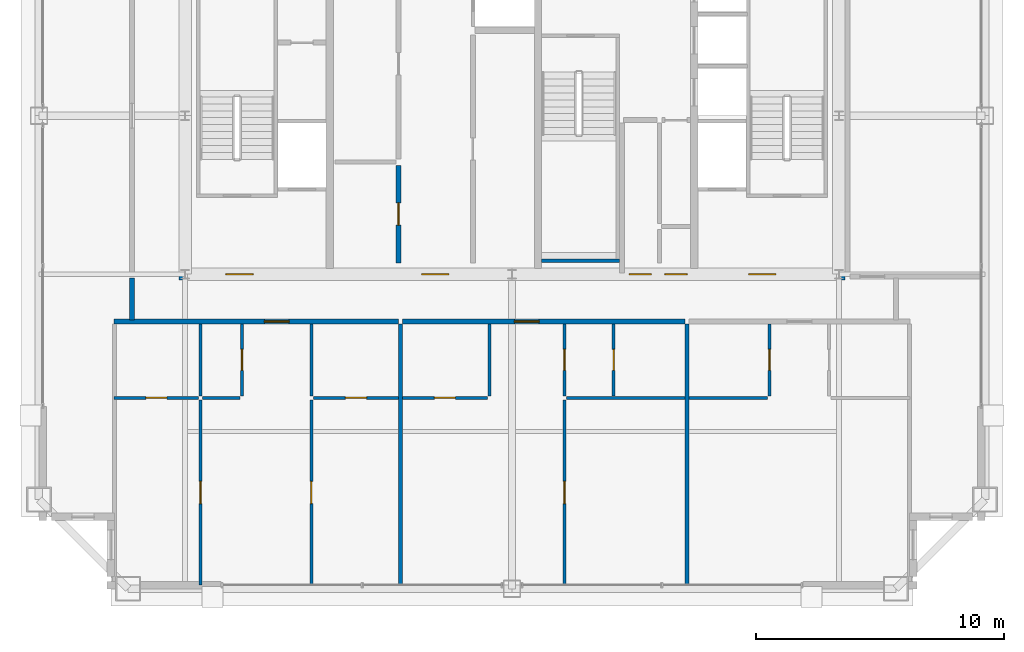
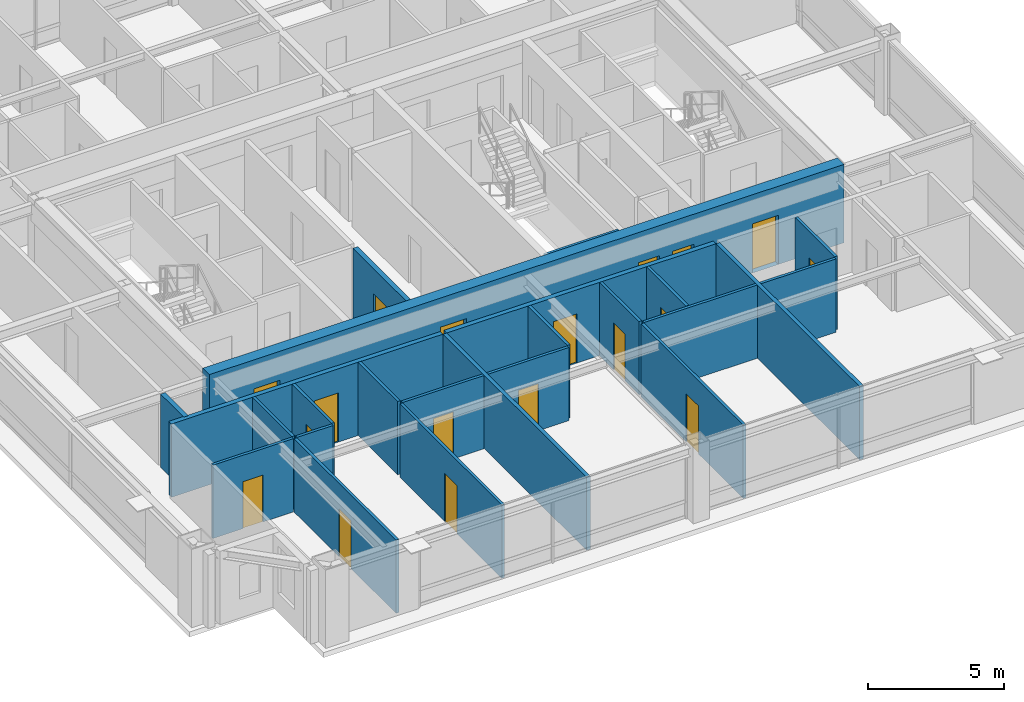
# One storey, part 30 of 35: 24 walls, 18 doors, 18 openings.
"""IFC4 building model written with IfcOpenShell, lengths in metres."""

from ifc_helpers import new_model, si_unit, direction, frame, frame_2d, origin, place, context, subcontext, project, spatial, rectangle, extrude, source, transform, mapped, material, layer, layer_set, type_object, element, fill, save


model = new_model("IFC4")

# Units and contexts
model_context = context("Model", 3, precision=1e-05, world=origin(), true_north=direction((0.0, 1.0)))
body_context = subcontext(model_context, "Body", "Model", "MODEL_VIEW")
ifc_project = project(units=[si_unit("LENGTHUNIT", "METRE"), si_unit("AREAUNIT", "SQUARE_METRE"), si_unit("VOLUMEUNIT", "CUBIC_METRE"), si_unit("PLANEANGLEUNIT", "RADIAN"), si_unit("MASSUNIT", "GRAM", prefix="KILO"), si_unit("THERMODYNAMICTEMPERATUREUNIT", "KELVIN"), si_unit("POWERUNIT", "WATT")], contexts=[model_context])

# Site, building, storey
site_placement = place(None, origin())
site = spatial("IfcSite", under=ifc_project, at=site_placement, CompositionType="ELEMENT")
building_placement = place(site_placement, origin())
building = spatial("IfcBuilding", under=site, at=building_placement, Name="Yuzanri Waterfront Tower", CompositionType="ELEMENT")
storey_placement = place(building_placement, frame((0.0, 0.0, 332.199951171875)))
storey = spatial("IfcBuildingStorey", under=building, at=storey_placement, Name="L89", CompositionType="ELEMENT", Elevation=332.199951171875)

# Wall, opening, door
ifc_material_1 = material(Name="Moisture-Resistant Gypsum Stud Wall", Category="gypsum")
ifc_layer_1 = layer(ifc_material_1, 0.1201171875)
ifc_layer_set_1 = layer_set([ifc_layer_1], Name="Moisture-Resistant Gypsum Stud Wall")
wall_type_1 = type_object("IfcWallType", Name="Bathroom and Kitchen Wet Partition 120", PredefinedType="PARTITIONING", material=ifc_layer_set_1)
wall_1_placement = place(storey_placement, frame((20.93994140625, 14.409912109375, 0.0), z_axis=(0.0, 0.0, 1.0), x_axis=(1.0, 0.0, 0.0)))
wall_1 = element("IfcWall", 1, at=wall_1_placement, inside=storey, type_object=wall_type_1, Name="L89 Partition UW-L89-HS1-SUB-1-S", PredefinedType="PARTITIONING", context=body_context, shape_type="SweptSolid", body=[
    extrude(rectangle(XDim=3.400146484375, YDim=0.1201171875, at=frame_2d((1.7001953125, 0.0))), origin(), (0.0, 0.0, 1.0), 3.280029296875),
])
opening_1_placement = place(wall_1_placement, frame((1.27490234375, 0.0, 0.0)))
opening_1 = element("IfcOpeningElement", 2, at=opening_1_placement, cuts=wall_1, Name="Opening ID-0850", PredefinedType="OPENING", context=body_context, shape_type="SweptSolid", body=[
    extrude(rectangle(XDim=0.85009765625, YDim=2.10009765625, at=frame_2d((0.425048828125, 1.050048828125))), frame((0.0, 0.074951171875, 0.0), z_axis=(0.0, -1.0, 0.0), x_axis=(1.0, 0.0, 0.0)), (0.0, 0.0, 1.0), 0.14990234375),
])
ifc_material_2 = material(Name="Moisture-Resistant Lacquered Timber", Category="wood")
door_type_1 = type_object("IfcDoorType", Name="En-Suite Bathroom and Kitchen Swing Door 850x2100", OperationType="NOTDEFINED", PredefinedType="DOOR", material=ifc_material_2)
shared_shape_1 = source(origin(), body_context, "Body", "SweptSolid", [
    extrude(rectangle(XDim=0.85009765625, YDim=2.10009765625, at=frame_2d((0.425048828125, 1.050048828125))), frame((0.0, 0.02490234375, 0.0), z_axis=(0.0, -1.0, 0.0), x_axis=(1.0, 0.0, 0.0)), (0.0, 0.0, 1.0), 0.050048828125),
])
door_1_placement = place(opening_1_placement, origin())
door_1 = element("IfcDoor", 3, at=door_1_placement, inside=storey, type_object=door_type_1, Name="L89 Suite Interior Room Door", OperationType="SINGLE_SWING_RIGHT", OverallHeight=2.10009765625, OverallWidth=0.85009765625, PredefinedType="DOOR", context=body_context, shape_type="MappedRepresentation", body=[
    mapped(shared_shape_1, transform((0.0, 0.0, 0.0), scale=1.0)),
])
fill(opening_1, door_1)

wall_2_placement = place(storey_placement, frame((26.10302734375, 14.489990234375, 0.0), z_axis=(0.0, 0.0, 1.0), x_axis=(0.0, 1.0, 0.0)))
wall_2 = element("IfcWall", 4, at=wall_2_placement, inside=storey, type_object=wall_type_1, Name="L89 Partition UW-L89-HS1-SUB-2-E", PredefinedType="PARTITIONING", context=body_context, shape_type="SweptSolid", body=[
    extrude(rectangle(XDim=2.89990234375, YDim=0.1201171875, at=frame_2d((1.449951171875, 0.0))), origin(), (0.0, 0.0, 1.0), 3.280029296875),
])
opening_2_placement = place(wall_2_placement, frame((1.02490234375, 0.0, 0.0)))
opening_2 = element("IfcOpeningElement", 5, at=opening_2_placement, cuts=wall_2, Name="Opening ID-0850", PredefinedType="OPENING", context=body_context, shape_type="SweptSolid", body=[
    extrude(rectangle(XDim=0.85009765625, YDim=2.10009765625, at=frame_2d((0.425048828125, 1.050048828125))), frame((0.0, 0.074951171875, 0.0), z_axis=(0.0, -1.0, 0.0), x_axis=(1.0, 0.0, 0.0)), (0.0, 0.0, 1.0), 0.14990234375),
])
door_2_placement = place(opening_2_placement, origin())
door_2 = element("IfcDoor", 6, at=door_2_placement, inside=storey, type_object=door_type_1, Name="L89 Suite Interior Room Door", OperationType="SINGLE_SWING_LEFT", OverallHeight=2.10009765625, OverallWidth=0.85009765625, PredefinedType="DOOR", context=body_context, shape_type="MappedRepresentation", body=[
    mapped(shared_shape_1, transform((0.0, 0.0, 0.0), scale=1.0)),
])
fill(opening_2, door_2)

wall_3_placement = place(storey_placement, frame((28.97802734375, 14.409912109375, 0.0), z_axis=(0.0, 0.0, 1.0), x_axis=(1.0, 0.0, 0.0)))
wall_3 = element("IfcWall", 7, at=wall_3_placement, inside=storey, type_object=wall_type_1, Name="L89 Partition UW-L89-HS1-SUB-3-S", PredefinedType="PARTITIONING", context=body_context, shape_type="SweptSolid", body=[
    extrude(rectangle(XDim=3.445068359375, YDim=0.1201171875, at=frame_2d((1.72265625, 0.0))), origin(), (0.0, 0.0, 1.0), 3.280029296875),
])
opening_3_placement = place(wall_3_placement, frame((1.297607421875, 0.0, 0.0)))
opening_3 = element("IfcOpeningElement", 8, at=opening_3_placement, cuts=wall_3, Name="Opening ID-0850", PredefinedType="OPENING", context=body_context, shape_type="SweptSolid", body=[
    extrude(rectangle(XDim=0.85009765625, YDim=2.10009765625, at=frame_2d((0.425048828125, 1.050048828125))), frame((0.0, 0.074951171875, 0.0), z_axis=(0.0, -1.0, 0.0), x_axis=(1.0, 0.0, 0.0)), (0.0, 0.0, 1.0), 0.14990234375),
])
door_3_placement = place(opening_3_placement, origin())
door_3 = element("IfcDoor", 9, at=door_3_placement, inside=storey, type_object=door_type_1, Name="L89 Suite Interior Room Door", OperationType="SINGLE_SWING_RIGHT", OverallHeight=2.10009765625, OverallWidth=0.85009765625, PredefinedType="DOOR", context=body_context, shape_type="MappedRepresentation", body=[
    mapped(shared_shape_1, transform((0.0, 0.0, 0.0), scale=1.0)),
])
fill(opening_3, door_3)

wall_4_placement = place(storey_placement, frame((24.419921875, 6.85009765625, 0.0), z_axis=(0.0, 0.0, 1.0), x_axis=(0.0, 1.0, 0.0)))
wall_4 = element("IfcWall", 10, at=wall_4_placement, inside=storey, type_object=wall_type_1, Name="L89 Partition UW-L89-HS1-SUB-4-E", PredefinedType="PARTITIONING", context=body_context, shape_type="SweptSolid", body=[
    extrude(rectangle(XDim=7.47998046875, YDim=0.1201171875, at=frame_2d((3.739990234375, 0.0))), origin(), (0.0, 0.0, 1.0), 3.280029296875),
])
opening_4_placement = place(wall_4_placement, frame((3.2900390625, 0.0, 0.0)))
opening_4 = element("IfcOpeningElement", 11, at=opening_4_placement, cuts=wall_4, Name="Opening ID-0900", PredefinedType="OPENING", context=body_context, shape_type="SweptSolid", body=[
    extrude(rectangle(XDim=0.89990234375, YDim=2.14990234375, at=frame_2d((0.449951171875, 1.074951171875))), frame((0.0, 0.074951171875, 0.0), z_axis=(0.0, -1.0, 0.0), x_axis=(1.0, 0.0, 0.0)), (0.0, 0.0, 1.0), 0.14990234375),
])
ifc_material_3 = material(Name="Stained Walnut Veneer Timber", Category="wood")
door_type_2 = type_object("IfcDoorType", Name="Bedroom and Study Interior Swing Door 900x2150", OperationType="NOTDEFINED", PredefinedType="DOOR", material=ifc_material_3)
shared_shape_2 = source(origin(), body_context, "Body", "SweptSolid", [
    extrude(rectangle(XDim=0.89990234375, YDim=2.14990234375, at=frame_2d((0.449951171875, 1.074951171875))), frame((0.0, 0.02490234375, 0.0), z_axis=(0.0, -1.0, 0.0), x_axis=(1.0, 0.0, 0.0)), (0.0, 0.0, 1.0), 0.050048828125),
])
door_4_placement = place(opening_4_placement, origin())
door_4 = element("IfcDoor", 12, at=door_4_placement, inside=storey, type_object=door_type_2, Name="L89 Suite Interior Room Door", OperationType="SINGLE_SWING_LEFT", OverallHeight=2.14990234375, OverallWidth=0.89990234375, PredefinedType="DOOR", context=body_context, shape_type="MappedRepresentation", body=[
    mapped(shared_shape_2, transform((0.0, 0.0, 0.0), scale=1.0)),
])
fill(opening_4, door_4)

wall_5_placement = place(storey_placement, frame((28.89794921875, 6.85009765625, 0.0), z_axis=(0.0, 0.0, 1.0), x_axis=(0.0, 1.0, 0.0)))
wall_5 = element("IfcWall", 13, at=wall_5_placement, inside=storey, type_object=wall_type_1, Name="L89 Partition UW-L89-HS1-SUB-5-W", PredefinedType="PARTITIONING", context=body_context, shape_type="SweptSolid", body=[
    extrude(rectangle(XDim=7.47998046875, YDim=0.1201171875, at=frame_2d((3.739990234375, 0.0))), origin(), (0.0, 0.0, 1.0), 3.280029296875),
])
opening_5_placement = place(wall_5_placement, frame((3.2900390625, 0.0, 0.0)))
opening_5 = element("IfcOpeningElement", 14, at=opening_5_placement, cuts=wall_5, Name="Opening ID-0900", PredefinedType="OPENING", context=body_context, shape_type="SweptSolid", body=[
    extrude(rectangle(XDim=0.89990234375, YDim=2.14990234375, at=frame_2d((0.449951171875, 1.074951171875))), frame((0.0, 0.074951171875, 0.0), z_axis=(0.0, -1.0, 0.0), x_axis=(1.0, 0.0, 0.0)), (0.0, 0.0, 1.0), 0.14990234375),
])
door_5_placement = place(opening_5_placement, origin())
door_5 = element("IfcDoor", 15, at=door_5_placement, inside=storey, type_object=door_type_2, Name="L89 Suite Interior Room Door", OperationType="SINGLE_SWING_RIGHT", OverallHeight=2.14990234375, OverallWidth=0.89990234375, PredefinedType="DOOR", context=body_context, shape_type="MappedRepresentation", body=[
    mapped(shared_shape_2, transform((0.0, 0.0, 0.0), scale=1.0)),
])
fill(opening_5, door_5)

wall_6_placement = place(storey_placement, frame((32.5830078125, 14.409912109375, 0.0), z_axis=(0.0, 0.0, 1.0), x_axis=(1.0, 0.0, 0.0)))
wall_6 = element("IfcWall", 16, at=wall_6_placement, inside=storey, type_object=wall_type_1, Name="L89 Partition UW-L89-HS2-SUB-1-S", PredefinedType="PARTITIONING", context=body_context, shape_type="SweptSolid", body=[
    extrude(rectangle(XDim=3.4208984375, YDim=0.1201171875, at=frame_2d((1.71044921875, 0.0))), origin(), (0.0, 0.0, 1.0), 3.280029296875),
])
opening_6_placement = place(wall_6_placement, frame((1.285400390625, 0.0, 0.0)))
opening_6 = element("IfcOpeningElement", 17, at=opening_6_placement, cuts=wall_6, Name="Opening ID-0850", PredefinedType="OPENING", context=body_context, shape_type="SweptSolid", body=[
    extrude(rectangle(XDim=0.85009765625, YDim=2.10009765625, at=frame_2d((0.425048828125, 1.050048828125))), frame((0.0, 0.074951171875, 0.0), z_axis=(0.0, -1.0, 0.0), x_axis=(1.0, 0.0, 0.0)), (0.0, 0.0, 1.0), 0.14990234375),
])
door_6_placement = place(opening_6_placement, origin())
door_6 = element("IfcDoor", 18, at=door_6_placement, inside=storey, type_object=door_type_1, Name="L89 Suite Interior Room Door", OperationType="SINGLE_SWING_RIGHT", OverallHeight=2.10009765625, OverallWidth=0.85009765625, PredefinedType="DOOR", context=body_context, shape_type="MappedRepresentation", body=[
    mapped(shared_shape_1, transform((0.0, 0.0, 0.0), scale=1.0)),
])
fill(opening_6, door_6)

wall_7_placement = place(storey_placement, frame((41.10595703125, 14.489990234375, 0.0), z_axis=(0.0, 0.0, 1.0), x_axis=(0.0, 1.0, 0.0)))
wall_7 = element("IfcWall", 19, at=wall_7_placement, inside=storey, type_object=wall_type_1, Name="L89 Partition UW-L89-HS2-SUB-2-W", PredefinedType="PARTITIONING", context=body_context, shape_type="SweptSolid", body=[
    extrude(rectangle(XDim=2.89990234375, YDim=0.1201171875, at=frame_2d((1.449951171875, 0.0))), origin(), (0.0, 0.0, 1.0), 3.280029296875),
])
opening_7_placement = place(wall_7_placement, frame((1.02490234375, 0.0, 0.0)))
opening_7 = element("IfcOpeningElement", 20, at=opening_7_placement, cuts=wall_7, Name="Opening ID-0850", PredefinedType="OPENING", context=body_context, shape_type="SweptSolid", body=[
    extrude(rectangle(XDim=0.85009765625, YDim=2.10009765625, at=frame_2d((0.425048828125, 1.050048828125))), frame((0.0, 0.074951171875, 0.0), z_axis=(0.0, -1.0, 0.0), x_axis=(1.0, 0.0, 0.0)), (0.0, 0.0, 1.0), 0.14990234375),
])
door_7_placement = place(opening_7_placement, origin())
door_7 = element("IfcDoor", 21, at=door_7_placement, inside=storey, type_object=door_type_1, Name="L89 Suite Interior Room Door", OperationType="SINGLE_SWING_LEFT", OverallHeight=2.10009765625, OverallWidth=0.85009765625, PredefinedType="DOOR", context=body_context, shape_type="MappedRepresentation", body=[
    mapped(shared_shape_1, transform((0.0, 0.0, 0.0), scale=1.0)),
])
fill(opening_7, door_7)

wall_8_placement = place(storey_placement, frame((39.116943359375, 6.85009765625, 0.0), z_axis=(0.0, 0.0, 1.0), x_axis=(0.0, 1.0, 0.0)))
wall_8 = element("IfcWall", 22, at=wall_8_placement, inside=storey, type_object=wall_type_1, Name="L89 Partition UW-L89-HS2-SUB-3-W", PredefinedType="PARTITIONING", context=body_context, shape_type="SweptSolid", body=[
    extrude(rectangle(XDim=7.47998046875, YDim=0.1201171875, at=frame_2d((3.739990234375, 0.0))), origin(), (0.0, 0.0, 1.0), 3.280029296875),
])
opening_8_placement = place(wall_8_placement, frame((3.2900390625, 0.0, 0.0)))
opening_8 = element("IfcOpeningElement", 23, at=opening_8_placement, cuts=wall_8, Name="Opening ID-0900", PredefinedType="OPENING", context=body_context, shape_type="SweptSolid", body=[
    extrude(rectangle(XDim=0.89990234375, YDim=2.14990234375, at=frame_2d((0.449951171875, 1.074951171875))), frame((0.0, 0.074951171875, 0.0), z_axis=(0.0, -1.0, 0.0), x_axis=(1.0, 0.0, 0.0)), (0.0, 0.0, 1.0), 0.14990234375),
])
door_8_placement = place(opening_8_placement, origin())
door_8 = element("IfcDoor", 24, at=door_8_placement, inside=storey, type_object=door_type_2, Name="L89 Suite Interior Room Door", OperationType="SINGLE_SWING_RIGHT", OverallHeight=2.14990234375, OverallWidth=0.89990234375, PredefinedType="DOOR", context=body_context, shape_type="MappedRepresentation", body=[
    mapped(shared_shape_2, transform((0.0, 0.0, 0.0), scale=1.0)),
])
fill(opening_8, door_8)

wall_9_placement = place(storey_placement, frame((39.116943359375, 14.489990234375, 0.0), z_axis=(0.0, 0.0, 1.0), x_axis=(0.0, 1.0, 0.0)))
wall_9 = element("IfcWall", 25, at=wall_9_placement, inside=storey, type_object=wall_type_1, Name="L89 Partition UW-L89-HS2-SUB-4-W", PredefinedType="PARTITIONING", context=body_context, shape_type="SweptSolid", body=[
    extrude(rectangle(XDim=2.89990234375, YDim=0.1201171875, at=frame_2d((1.449951171875, 0.0))), origin(), (0.0, 0.0, 1.0), 3.280029296875),
])
opening_9_placement = place(wall_9_placement, frame((1.02490234375, 0.0, 0.0)))
opening_9 = element("IfcOpeningElement", 26, at=opening_9_placement, cuts=wall_9, Name="Opening ID-0850", PredefinedType="OPENING", context=body_context, shape_type="SweptSolid", body=[
    extrude(rectangle(XDim=0.85009765625, YDim=2.10009765625, at=frame_2d((0.425048828125, 1.050048828125))), frame((0.0, 0.074951171875, 0.0), z_axis=(0.0, -1.0, 0.0), x_axis=(1.0, 0.0, 0.0)), (0.0, 0.0, 1.0), 0.14990234375),
])
door_9_placement = place(opening_9_placement, origin())
door_9 = element("IfcDoor", 27, at=door_9_placement, inside=storey, type_object=door_type_1, Name="L89 Suite Interior Room Door", OperationType="SINGLE_SWING_LEFT", OverallHeight=2.10009765625, OverallWidth=0.85009765625, PredefinedType="DOOR", context=body_context, shape_type="MappedRepresentation", body=[
    mapped(shared_shape_1, transform((0.0, 0.0, 0.0), scale=1.0)),
])
fill(opening_9, door_9)

wall_10_placement = place(storey_placement, frame((47.40087890625, 14.489990234375, 0.0), z_axis=(0.0, 0.0, 1.0), x_axis=(0.0, 1.0, 0.0)))
wall_10 = element("IfcWall", 28, at=wall_10_placement, inside=storey, type_object=wall_type_1, Name="L89 Partition UW-L89-HS3-SUB-1-E", PredefinedType="PARTITIONING", context=body_context, shape_type="SweptSolid", body=[
    extrude(rectangle(XDim=2.89990234375, YDim=0.1201171875, at=frame_2d((1.449951171875, 0.0))), origin(), (0.0, 0.0, 1.0), 3.280029296875),
])
opening_10_placement = place(wall_10_placement, frame((1.02490234375, 0.0, 0.0)))
opening_10 = element("IfcOpeningElement", 29, at=opening_10_placement, cuts=wall_10, Name="Opening ID-0850", PredefinedType="OPENING", context=body_context, shape_type="SweptSolid", body=[
    extrude(rectangle(XDim=0.85009765625, YDim=2.10009765625, at=frame_2d((0.425048828125, 1.050048828125))), frame((0.0, 0.074951171875, 0.0), z_axis=(0.0, -1.0, 0.0), x_axis=(1.0, 0.0, 0.0)), (0.0, 0.0, 1.0), 0.14990234375),
])
door_10_placement = place(opening_10_placement, origin())
door_10 = element("IfcDoor", 30, at=door_10_placement, inside=storey, type_object=door_type_1, Name="L89 Suite Interior Room Door", OperationType="SINGLE_SWING_LEFT", OverallHeight=2.10009765625, OverallWidth=0.85009765625, PredefinedType="DOOR", context=body_context, shape_type="MappedRepresentation", body=[
    mapped(shared_shape_1, transform((0.0, 0.0, 0.0), scale=1.0)),
])
fill(opening_10, door_10)

# Wall, openings, doors
ifc_material_4 = material(Name="Concrete C45", Category="concrete")
ifc_layer_2 = layer(ifc_material_4, 0.47998046875)
ifc_layer_set_2 = layer_set([ifc_layer_2], Name="Concrete C45")
wall_type_2 = type_object("IfcWallType", Name="Concrete C45 High-Rise Core Shear Wall 480", PredefinedType="SHEAR", material=ifc_layer_set_2)
wall_11_placement = place(storey_placement, frame((23.56005859375, 19.39990234375, 0.0), z_axis=(0.0, 0.0, 1.0), x_axis=(1.0, 0.0, 0.0)))
wall_11 = element("IfcWall", 31, at=wall_11_placement, inside=storey, type_object=wall_type_2, Name="L89 Core South Shear Wall", PredefinedType="SHEAR", context=body_context, shape_type="SweptSolid", body=[
    extrude(rectangle(XDim=26.8798828125, YDim=0.47998046875, at=frame_2d((13.43994140625, 0.0))), origin(), (0.0, 0.0, 1.0), 3.5),
])
opening_11_placement = place(wall_11_placement, frame((1.889892578125, 0.0, 0.0)))
opening_11 = element("IfcOpeningElement", 32, at=opening_11_placement, cuts=wall_11, Name="Opening FD-1100", PredefinedType="OPENING", context=body_context, shape_type="SweptSolid", body=[
    extrude(rectangle(XDim=1.10009765625, YDim=2.199951171875, at=frame_2d((0.550048828125, 1.10009765625))), frame((0.0, 0.2548828125, 0.0), z_axis=(0.0, -1.0, 0.0), x_axis=(1.0, 0.0, 0.0)), (0.0, 0.0, 1.0), 0.509765625),
])
opening_12_placement = place(wall_11_placement, frame((9.7900390625, 0.0, 0.0)))
opening_12 = element("IfcOpeningElement", 33, at=opening_12_placement, cuts=wall_11, Name="Opening FD-1100", PredefinedType="OPENING", context=body_context, shape_type="SweptSolid", body=[
    extrude(rectangle(XDim=1.10009765625, YDim=2.199951171875, at=frame_2d((0.550048828125, 1.10009765625))), frame((0.0, 0.2548828125, 0.0), z_axis=(0.0, -1.0, 0.0), x_axis=(1.0, 0.0, 0.0)), (0.0, 0.0, 1.0), 0.509765625),
])
opening_13_placement = place(wall_11_placement, frame((22.989990234375, 0.0, 0.0)))
opening_13 = element("IfcOpeningElement", 34, at=opening_13_placement, cuts=wall_11, Name="Opening FD-1100", PredefinedType="OPENING", context=body_context, shape_type="SweptSolid", body=[
    extrude(rectangle(XDim=1.10009765625, YDim=2.199951171875, at=frame_2d((0.550048828125, 1.10009765625))), frame((0.0, 0.2548828125, 0.0), z_axis=(0.0, -1.0, 0.0), x_axis=(1.0, 0.0, 0.0)), (0.0, 0.0, 1.0), 0.509765625),
])
opening_14_placement = place(wall_11_placement, frame((19.610107421875, 0.0, 0.0)))
opening_14 = element("IfcOpeningElement", 35, at=opening_14_placement, cuts=wall_11, Name="Opening FD-0900", PredefinedType="OPENING", context=body_context, shape_type="SweptSolid", body=[
    extrude(rectangle(XDim=0.89990234375, YDim=2.14990234375, at=frame_2d((0.449951171875, 1.074951171875))), frame((0.0, 0.2548828125, 0.0), z_axis=(0.0, -1.0, 0.0), x_axis=(1.0, 0.0, 0.0)), (0.0, 0.0, 1.0), 0.509765625),
])
opening_15_placement = place(wall_11_placement, frame((18.169921875, 0.0, 0.0)))
opening_15 = element("IfcOpeningElement", 36, at=opening_15_placement, cuts=wall_11, Name="Opening FD-0900", PredefinedType="OPENING", context=body_context, shape_type="SweptSolid", body=[
    extrude(rectangle(XDim=0.89990234375, YDim=2.14990234375, at=frame_2d((0.449951171875, 1.074951171875))), frame((0.0, 0.2548828125, 0.0), z_axis=(0.0, -1.0, 0.0), x_axis=(1.0, 0.0, 0.0)), (0.0, 0.0, 1.0), 0.509765625),
])
ifc_material_5 = material(Name="Painted Galvanized Fire Steel", Category="steel")
door_type_3 = type_object("IfcDoorType", Name="Smoke-Proof Stair and Lobby Fire Door 1100x2200", OperationType="NOTDEFINED", PredefinedType="DOOR", material=ifc_material_5)
shared_shape_3 = source(origin(), body_context, "Body", "SweptSolid", [
    extrude(rectangle(XDim=1.10009765625, YDim=2.199951171875, at=frame_2d((0.550048828125, 1.10009765625))), frame((0.0, 0.02490234375, 0.0), z_axis=(0.0, -1.0, 0.0), x_axis=(1.0, 0.0, 0.0)), (0.0, 0.0, 1.0), 0.050048828125),
])
door_11_placement = place(opening_11_placement, origin())
door_11 = element("IfcDoor", 37, at=door_11_placement, inside=storey, type_object=door_type_3, Name="L89 West Firefighting Lobby Door", OperationType="SINGLE_SWING_LEFT", OverallHeight=2.199951171875, OverallWidth=1.10009765625, PredefinedType="DOOR", context=body_context, shape_type="MappedRepresentation", body=[
    mapped(shared_shape_3, transform((0.0, 0.0, 0.0), scale=1.0)),
])
fill(opening_11, door_11)
door_12_placement = place(opening_12_placement, origin())
door_12 = element("IfcDoor", 38, at=door_12_placement, inside=storey, type_object=door_type_3, Name="L89 Central Lift Lobby South Door", OperationType="SINGLE_SWING_RIGHT", OverallHeight=2.199951171875, OverallWidth=1.10009765625, PredefinedType="DOOR", context=body_context, shape_type="MappedRepresentation", body=[
    mapped(shared_shape_3, transform((0.0, 0.0, 0.0), scale=1.0)),
])
fill(opening_12, door_12)
door_13_placement = place(opening_13_placement, origin())
door_13 = element("IfcDoor", 39, at=door_13_placement, inside=storey, type_object=door_type_3, Name="L89 East Firefighting Lobby Door", OperationType="SINGLE_SWING_LEFT", OverallHeight=2.199951171875, OverallWidth=1.10009765625, PredefinedType="DOOR", context=body_context, shape_type="MappedRepresentation", body=[
    mapped(shared_shape_3, transform((0.0, 0.0, 0.0), scale=1.0)),
])
fill(opening_13, door_13)
ifc_material_6 = material(Name="Painted Galvanized Fire Steel", Category="steel")
door_type_4 = type_object("IfcDoorType", Name="Riser and Service Room Fire Door 900x2150", OperationType="NOTDEFINED", PredefinedType="DOOR", material=ifc_material_6)
shared_shape_4 = source(origin(), body_context, "Body", "SweptSolid", [
    extrude(rectangle(XDim=0.89990234375, YDim=2.14990234375, at=frame_2d((0.449951171875, 1.074951171875))), frame((0.0, 0.02490234375, 0.0), z_axis=(0.0, -1.0, 0.0), x_axis=(1.0, 0.0, 0.0)), (0.0, 0.0, 1.0), 0.050048828125),
])
door_14_placement = place(opening_14_placement, origin())
door_14 = element("IfcDoor", 40, at=door_14_placement, inside=storey, type_object=door_type_4, Name="L89 East Wet Riser Door", OperationType="SINGLE_SWING_RIGHT", OverallHeight=2.14990234375, OverallWidth=0.89990234375, PredefinedType="DOOR", context=body_context, shape_type="MappedRepresentation", body=[
    mapped(shared_shape_4, transform((0.0, 0.0, 0.0), scale=1.0)),
])
fill(opening_14, door_14)
door_15_placement = place(opening_15_placement, origin())
door_15 = element("IfcDoor", 41, at=door_15_placement, inside=storey, type_object=door_type_4, Name="L89 Cleaners Store Room", OperationType="SINGLE_SWING_LEFT", OverallHeight=2.14990234375, OverallWidth=0.89990234375, PredefinedType="DOOR", context=body_context, shape_type="MappedRepresentation", body=[
    mapped(shared_shape_4, transform((0.0, 0.0, 0.0), scale=1.0)),
])
fill(opening_15, door_15)

# Wall, opening, door
ifc_material_7 = material(Name="Autoclaved Aerated Concrete Blockwork", Category="masonry")
ifc_layer_3 = layer(ifc_material_7, 0.199951171875)
ifc_layer_set_3 = layer_set([ifc_layer_3], Name="Autoclaved Aerated Concrete Blockwork")
wall_type_3 = type_object("IfcWallType", Name="Corridor and Unit Party Fire Wall 200", PredefinedType="PARTITIONING", material=ifc_layer_set_3)
wall_12_placement = place(storey_placement, frame((32.419921875, 19.860107421875, 0.0), z_axis=(0.0, 0.0, 1.0), x_axis=(0.0, 1.0, 0.0)))
wall_12 = element("IfcWall", 42, at=wall_12_placement, inside=storey, type_object=wall_type_3, Name="L89 Partition CRW-L89-B1R-1", PredefinedType="PARTITIONING", context=body_context, shape_type="SweptSolid", body=[
    extrude(rectangle(XDim=3.93994140625, YDim=0.199951171875, at=frame_2d((1.969970703125, 0.0))), origin(), (0.0, 0.0, 1.0), 3.280029296875),
])
opening_16_placement = place(wall_12_placement, frame((1.52001953125, 0.0, 0.0)))
opening_16 = element("IfcOpeningElement", 43, at=opening_16_placement, cuts=wall_12, Name="Opening FD-0900", PredefinedType="OPENING", context=body_context, shape_type="SweptSolid", body=[
    extrude(rectangle(XDim=0.89990234375, YDim=2.14990234375, at=frame_2d((0.449951171875, 1.074951171875))), frame((0.0, 0.11474609375, 0.0), z_axis=(0.0, -1.0, 0.0), x_axis=(1.0, 0.0, 0.0)), (0.0, 0.0, 1.0), 0.229736328125),
])
door_16_placement = place(opening_16_placement, origin())
door_16 = element("IfcDoor", 44, at=door_16_placement, inside=storey, type_object=door_type_4, Name="L89 Janitor Supply Store Room", OperationType="SINGLE_SWING_LEFT", OverallHeight=2.14990234375, OverallWidth=0.89990234375, PredefinedType="DOOR", context=body_context, shape_type="MappedRepresentation", body=[
    mapped(shared_shape_4, transform((0.0, 0.0, 0.0), scale=1.0)),
])
fill(opening_16, door_16)

wall_13_placement = place(storey_placement, frame((20.93994140625, 17.489990234375, 0.0), z_axis=(0.0, 0.0, 1.0), x_axis=(1.0, 0.0, 0.0)))
wall_13 = element("IfcWall", 45, at=wall_13_placement, inside=storey, type_object=wall_type_3, Name="L89 Partition UW-L89-HS1-CN", PredefinedType="PARTITIONING", context=body_context, shape_type="SweptSolid", body=[
    extrude(rectangle(XDim=11.483154296875, YDim=0.199951171875, at=frame_2d((5.74169921875, 0.0))), origin(), (0.0, 0.0, 1.0), 3.280029296875),
])
opening_17_placement = place(wall_13_placement, frame((6.06005859375, 0.0, 0.0)))
opening_17 = element("IfcOpeningElement", 46, at=opening_17_placement, cuts=wall_13, Name="Opening FD-1000", PredefinedType="OPENING", context=body_context, shape_type="SweptSolid", body=[
    extrude(rectangle(XDim=1.0, YDim=2.199951171875, at=frame_2d((0.5, 1.10009765625))), frame((0.0, 0.11474609375, 0.0), z_axis=(0.0, -1.0, 0.0), x_axis=(1.0, 0.0, 0.0)), (0.0, 0.0, 1.0), 0.229736328125),
])
ifc_material_8 = material(Name="Engineered Oak Fire-Rated Timber", Category="wood")
door_type_5 = type_object("IfcDoorType", Name="Guestroom and Apartment Entrance Fire Door 1000x2200", OperationType="NOTDEFINED", PredefinedType="DOOR", material=ifc_material_8)
shared_shape_5 = source(origin(), body_context, "Body", "SweptSolid", [
    extrude(rectangle(XDim=1.0, YDim=2.199951171875, at=frame_2d((0.5, 1.10009765625))), frame((0.0, 0.02490234375, 0.0), z_axis=(0.0, -1.0, 0.0), x_axis=(1.0, 0.0, 0.0)), (0.0, 0.0, 1.0), 0.050048828125),
])
door_17_placement = place(opening_17_placement, origin())
door_17 = element("IfcDoor", 47, at=door_17_placement, inside=storey, type_object=door_type_5, Name="L89 Apartment Living and Dining Salon Entrance Door", OperationType="SINGLE_SWING_LEFT", OverallHeight=2.199951171875, OverallWidth=1.0, PredefinedType="DOOR", context=body_context, shape_type="MappedRepresentation", body=[
    mapped(shared_shape_5, transform((0.0, 0.0, 0.0), scale=1.0)),
])
fill(opening_17, door_17)

wall_14_placement = place(storey_placement, frame((32.5830078125, 17.489990234375, 0.0), z_axis=(0.0, 0.0, 1.0), x_axis=(1.0, 0.0, 0.0)))
wall_14 = element("IfcWall", 48, at=wall_14_placement, inside=storey, type_object=wall_type_3, Name="L89 Partition UW-L89-HS2-CN", PredefinedType="PARTITIONING", context=body_context, shape_type="SweptSolid", body=[
    extrude(rectangle(XDim=11.403076171875, YDim=0.199951171875, at=frame_2d((5.70166015625, 0.0))), origin(), (0.0, 0.0, 1.0), 3.280029296875),
])
opening_18_placement = place(wall_14_placement, frame((4.51708984375, 0.0, 0.0)))
opening_18 = element("IfcOpeningElement", 49, at=opening_18_placement, cuts=wall_14, Name="Opening FD-1000", PredefinedType="OPENING", context=body_context, shape_type="SweptSolid", body=[
    extrude(rectangle(XDim=1.0, YDim=2.199951171875, at=frame_2d((0.5, 1.10009765625))), frame((0.0, 0.11474609375, 0.0), z_axis=(0.0, -1.0, 0.0), x_axis=(1.0, 0.0, 0.0)), (0.0, 0.0, 1.0), 0.229736328125),
])
door_18_placement = place(opening_18_placement, origin())
door_18 = element("IfcDoor", 50, at=door_18_placement, inside=storey, type_object=door_type_5, Name="L89 Apartment Living Room Entrance Door", OperationType="SINGLE_SWING_LEFT", OverallHeight=2.199951171875, OverallWidth=1.0, PredefinedType="DOOR", context=body_context, shape_type="MappedRepresentation", body=[
    mapped(shared_shape_5, transform((0.0, 0.0, 0.0), scale=1.0)),
])
fill(opening_18, door_18)

# Walls
ifc_material_9 = material(Name="Concrete C40", Category="concrete")
ifc_layer_4 = layer(ifc_material_9, 0.139892578125)
ifc_layer_set_4 = layer_set([ifc_layer_4], Name="Concrete C40")
wall_type_4 = type_object("IfcWallType", Name="Core Stair Liner and Hoistway Shaft Wall 140", PredefinedType="SOLIDWALL", material=ifc_layer_set_4)
shared_shape_6 = source(origin(), body_context, "Body", "SweptSolid", [
    extrude(rectangle(XDim=3.14013671875, YDim=0.139892578125, at=frame_2d((1.570068359375, 0.0))), origin(), (0.0, 0.0, 1.0), 3.280029296875),
])
wall_15_placement = place(storey_placement, frame((38.199951171875, 19.949951171875, 0.0), z_axis=(0.0, 0.0, 1.0), x_axis=(1.0, 0.0, 0.0)))
element("IfcWall", 51, at=wall_15_placement, inside=storey, type_object=wall_type_4, Name="L89 Stair ST-03 South Shaft Wall", PredefinedType="SOLIDWALL", context=body_context, shape_type="MappedRepresentation", body=[
    mapped(shared_shape_6, transform((0.0, 0.0, 0.0), scale=1.0)),
])
shared_shape_7 = source(origin(), body_context, "Body", "SweptSolid", [
    extrude(rectangle(XDim=1.699951171875, YDim=0.199951171875, at=frame_2d((0.85009765625, 0.0))), origin(), (0.0, 0.0, 1.0), 3.280029296875),
])
wall_16_placement = place(storey_placement, frame((21.64990234375, 17.550048828125, 0.0), z_axis=(0.0, 0.0, 1.0), x_axis=(0.0, 1.0, 0.0)))
element("IfcWall", 52, at=wall_16_placement, inside=storey, type_object=wall_type_3, Name="L89 South Foyer West End Wall", PredefinedType="PARTITIONING", context=body_context, shape_type="MappedRepresentation", body=[
    mapped(shared_shape_7, transform((0.0, 0.0, 0.0), scale=1.0)),
])
ifc_material_10 = material(Name="Gypsum Fireboard Acoustic Stud Wall", Category="gypsum")
ifc_layer_5 = layer(ifc_material_10, 0.159912109375)
ifc_layer_set_5 = layer_set([ifc_layer_5], Name="Gypsum Fireboard Acoustic Stud Wall")
wall_type_5 = type_object("IfcWallType", Name="Acoustic Suite Demising Partition 160", PredefinedType="PARTITIONING", material=ifc_layer_set_5)
shared_shape_8 = source(origin(), body_context, "Body", "SweptSolid", [
    extrude(rectangle(XDim=10.539794921875, YDim=0.159912109375, at=frame_2d((5.27001953125, 0.0))), origin(), (0.0, 0.0, 1.0), 3.280029296875),
])
for number, where, z_axis, x_axis, name in (
    (53, (32.5029296875, 6.85009765625, 0.0), (0.0, 0.0, 1.0), (0.0, 1.0, 0.0), "L89-HS1 Party Wall"),
    (54, (44.06591796875, 6.85009765625, 0.0), (0.0, 0.0, 1.0), (0.0, 1.0, 0.0), "L89-HS2 Party Wall"),
):
    element("IfcWall", number, at=place(storey_placement, frame(where, z_axis=z_axis, x_axis=x_axis)), inside=storey, type_object=wall_type_5, Name=name, PredefinedType="PARTITIONING", context=body_context, shape_type="MappedRepresentation", body=[
        mapped(shared_shape_8, transform((0.0, 0.0, 0.0), scale=1.0)),
    ])
shared_shape_9 = source(origin(), body_context, "Body", "SweptSolid", [
    extrude(rectangle(XDim=2.89990234375, YDim=0.1201171875, at=frame_2d((1.449951171875, 0.0))), origin(), (0.0, 0.0, 1.0), 3.280029296875),
])
for number, where, z_axis, x_axis, name in (
    (55, (24.419921875, 14.489990234375, 0.0), (0.0, 0.0, 1.0), (0.0, 1.0, 0.0), "L89 Partition UW-L89-HS1-SUB-1-E"),
    (56, (28.89794921875, 14.489990234375, 0.0), (0.0, 0.0, 1.0), (0.0, 1.0, 0.0), "L89 Partition UW-L89-HS1-SUB-3-W"),
    (57, (36.083984375, 14.489990234375, 0.0), (0.0, 0.0, 1.0), (0.0, 1.0, 0.0), "L89 Partition UW-L89-HS2-SUB-1-E"),
):
    element("IfcWall", number, at=place(storey_placement, frame(where, z_axis=z_axis, x_axis=x_axis)), inside=storey, type_object=wall_type_1, Name=name, PredefinedType="PARTITIONING", context=body_context, shape_type="MappedRepresentation", body=[
        mapped(shared_shape_9, transform((0.0, 0.0, 0.0), scale=1.0)),
    ])
shared_shape_10 = source(origin(), body_context, "Body", "SweptSolid", [
    extrude(rectangle(XDim=1.52294921875, YDim=0.1201171875, at=frame_2d((0.761474609375, 0.0))), origin(), (0.0, 0.0, 1.0), 3.280029296875),
])
wall_17_placement = place(storey_placement, frame((24.5, 14.409912109375, 0.0), z_axis=(0.0, 0.0, 1.0), x_axis=(1.0, 0.0, 0.0)))
element("IfcWall", 58, at=wall_17_placement, inside=storey, type_object=wall_type_1, Name="L89 Partition UW-L89-HS1-SUB-2-S", PredefinedType="PARTITIONING", context=body_context, shape_type="MappedRepresentation", body=[
    mapped(shared_shape_10, transform((0.0, 0.0, 0.0), scale=1.0)),
])
shared_shape_11 = source(origin(), body_context, "Body", "SweptSolid", [
    extrude(rectangle(XDim=4.7890625, YDim=0.1201171875, at=frame_2d((2.39453125, 0.0))), origin(), (0.0, 0.0, 1.0), 3.280029296875),
])
wall_18_placement = place(storey_placement, frame((39.197021484375, 14.409912109375, 0.0), z_axis=(0.0, 0.0, 1.0), x_axis=(1.0, 0.0, 0.0)))
element("IfcWall", 59, at=wall_18_placement, inside=storey, type_object=wall_type_1, Name="L89 Partition UW-L89-HS2-SUB-3-N", PredefinedType="PARTITIONING", context=body_context, shape_type="MappedRepresentation", body=[
    mapped(shared_shape_11, transform((0.0, 0.0, 0.0), scale=1.0)),
])
shared_shape_12 = source(origin(), body_context, "Body", "SweptSolid", [
    extrude(rectangle(XDim=3.175048828125, YDim=0.1201171875, at=frame_2d((1.58740234375, 0.0))), origin(), (0.0, 0.0, 1.0), 3.280029296875),
])
wall_19_placement = place(storey_placement, frame((44.14599609375, 14.409912109375, 0.0), z_axis=(0.0, 0.0, 1.0), x_axis=(1.0, 0.0, 0.0)))
element("IfcWall", 60, at=wall_19_placement, inside=storey, type_object=wall_type_1, Name="L89 Partition UW-L89-HS3-SUB-1-S", PredefinedType="PARTITIONING", context=body_context, shape_type="MappedRepresentation", body=[
    mapped(shared_shape_12, transform((0.0, 0.0, 0.0), scale=1.0)),
])

save(model, "model.ifc")
